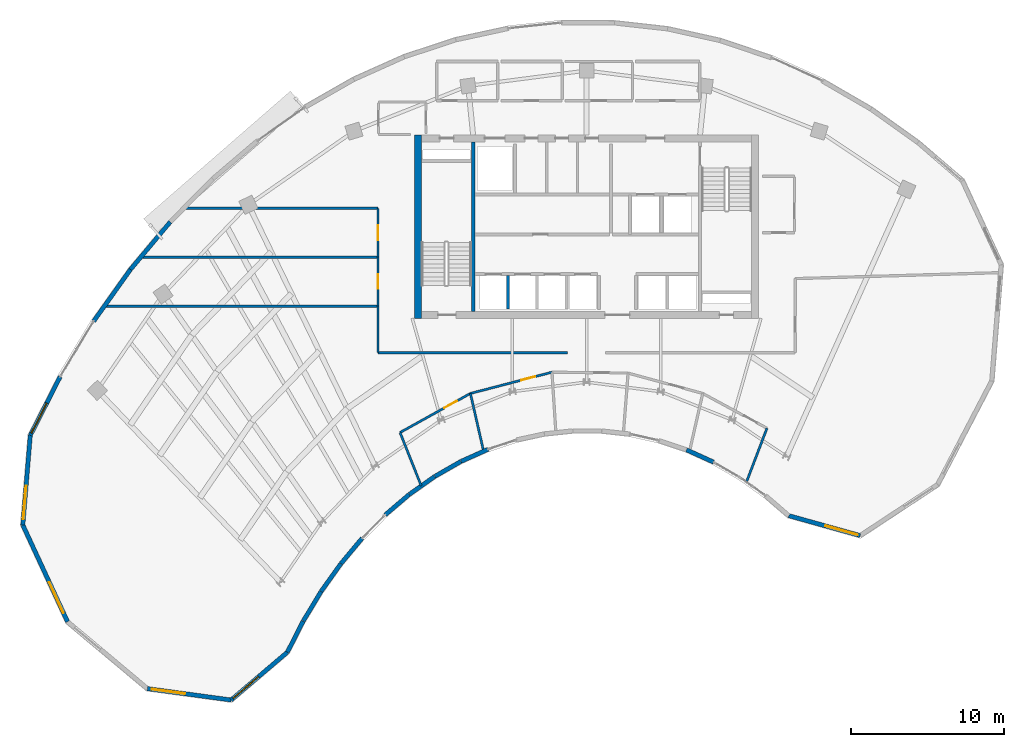
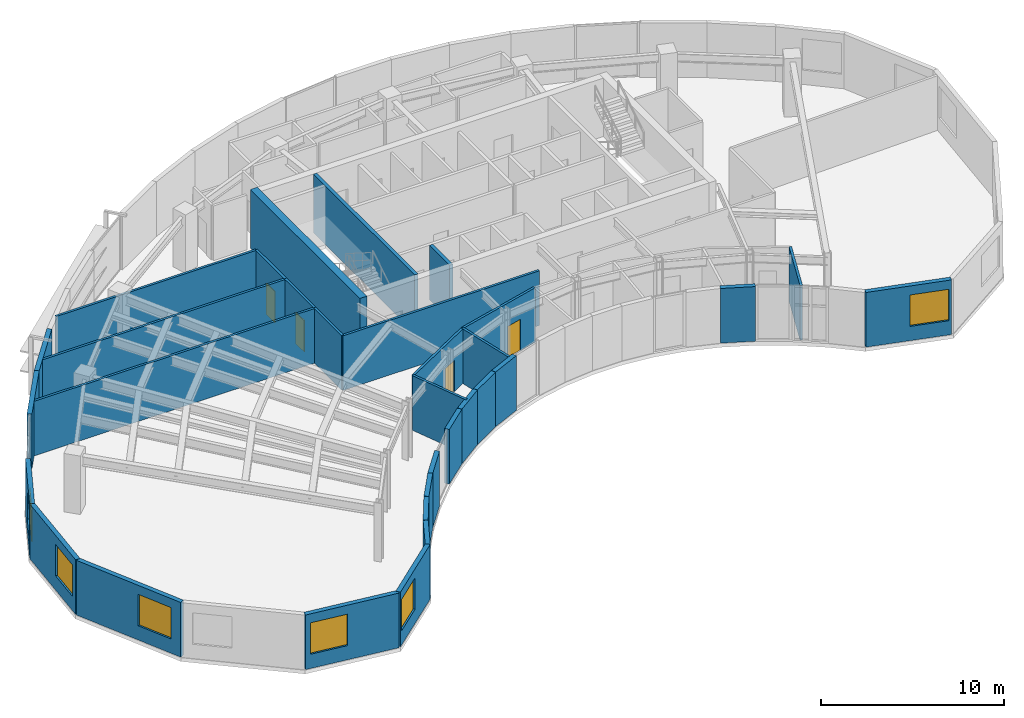
# One storey, part 7 of 12: 32 walls, 6 windows, 4 doors, 10 openings.
"""IFC4 building model written with IfcOpenShell, lengths in metres."""

from ifc_helpers import new_model, si_unit, direction, frame, frame_2d, origin, place, context, subcontext, project, spatial, rectangle, extrude, source, transform, mapped, material, layer, layer_set, type_object, type_shapes, element, fill, save


model = new_model("IFC4")

# Units and contexts
model_context = context("Model", 3, precision=1e-05, world=origin(), true_north=direction((0.0, 1.0)))
body_context = subcontext(model_context, "Body", "Model", "MODEL_VIEW")
ifc_project = project(units=[si_unit("LENGTHUNIT", "METRE"), si_unit("AREAUNIT", "SQUARE_METRE"), si_unit("VOLUMEUNIT", "CUBIC_METRE"), si_unit("PLANEANGLEUNIT", "RADIAN"), si_unit("MASSUNIT", "GRAM", prefix="KILO")], contexts=[model_context])

# Site, building, storey
site_placement = place(None, origin())
site = spatial("IfcSite", under=ifc_project, at=site_placement, CompositionType="ELEMENT")
building_placement = place(site_placement, origin())
building = spatial("IfcBuilding", under=site, at=building_placement, Name="Breltana Convention Tower", CompositionType="ELEMENT")
storey_placement = place(building_placement, frame((0.0, 0.0, 243.0)))
storey = spatial("IfcBuildingStorey", under=building, at=storey_placement, Name="L59", CompositionType="ELEMENT", Elevation=243.0)

# Walls
ifc_material_1 = material(Name="Concrete C60/75", Category="concrete")
ifc_layer_1 = layer(ifc_material_1, 0.449951171875, Name="Concrete C60/75")
ifc_layer_set_1 = layer_set([ifc_layer_1], Name="Concrete C60/75")
wall_type_1 = type_object("IfcWallType", Name="SW-CORE-450", PredefinedType="SHEAR", material=ifc_layer_set_1)
shared_shape_1 = source(origin(), body_context, "Body", "SweptSolid", [
    extrude(rectangle(XDim=12.0, YDim=0.449951171875, at=frame_2d((6.0, 0.0))), origin(), (0.0, 0.0, 1.0), 3.89990234375),
])
wall_1_placement = place(storey_placement, frame((36.97509765625, 60.199951171875, 0.0), z_axis=(0.0, 0.0, 1.0), x_axis=(0.0, 1.0, 0.0)))
element("IfcWall", 1, at=wall_1_placement, inside=storey, type_object=wall_type_1, Name="L59 West Core Shear Wall", PredefinedType="SHEAR", context=body_context, shape_type="MappedRepresentation", body=[
    mapped(shared_shape_1, transform((0.0, 0.0, 0.0), scale=1.0)),
])
ifc_material_2 = material(Name="Concrete C50/60", Category="concrete")
ifc_layer_2 = layer(ifc_material_2, 0.39990234375, Name="Concrete C50/60")
ifc_layer_set_2 = layer_set([ifc_layer_2], Name="Concrete C50/60")
wall_type_2 = type_object("IfcWallType", Name="SW-CORE-400", PredefinedType="SHEAR", material=ifc_layer_set_2)
shared_shape_2 = source(origin(), body_context, "Body", "SweptSolid", [
    extrude(rectangle(XDim=11.10009765625, YDim=0.219970703125, at=frame_2d((5.550048828125, 0.0))), origin(), (0.0, 0.0, 1.0), 3.89990234375),
])
wall_2_placement = place(storey_placement, frame((40.580078125, 60.64990234375, 0.0), z_axis=(0.0, 0.0, 1.0), x_axis=(0.0, 1.0, 0.0)))
element("IfcWall", 2, at=wall_2_placement, inside=storey, type_object=wall_type_2, Name="L59 Core West Stair Spine Wall", PredefinedType="SHEAR", context=body_context, shape_type="MappedRepresentation", body=[
    mapped(shared_shape_2, transform((0.0, 0.0, 0.0), scale=1.0)),
])

# Wall, opening, window
ifc_material_3 = material(Name="Limestone Buff Insulated Wall", Category="masonry")
ifc_layer_3 = layer(ifc_material_3, 0.280029296875, Name="Limestone Buff Insulated Wall")
ifc_layer_set_3 = layer_set([ifc_layer_3], Name="Limestone Buff Insulated Wall")
wall_type_3 = type_object("IfcWallType", Name="WL-EXT-NOSE-280", PredefinedType="SOLIDWALL", material=ifc_layer_set_3)
shared_shape_3 = source(origin(), body_context, "Body", "SweptSolid", [
    extrude(rectangle(XDim=4.84716796875, YDim=0.280029296875, at=frame_2d((2.423583984375, 0.0))), origin(), (0.0, 0.0, 1.0), 3.64990234375),
])
wall_3_placement = place(storey_placement, frame((65.890625, 45.996337890625, 0.0), z_axis=(0.0, 0.0, 1.0), x_axis=(-0.963208430762, 0.268755500238, 0.0)))
wall_3 = element("IfcWall", 3, at=wall_3_placement, inside=storey, type_object=wall_type_3, Name="L59 curved limestone nose wall E5", PredefinedType="SOLIDWALL", context=body_context, shape_type="MappedRepresentation", body=[
    mapped(shared_shape_3, transform((0.0, 0.0, 0.0), scale=1.0)),
])
opening_1_placement = place(wall_3_placement, frame((0.159912109375, 0.0, 0.949951171875)))
opening_1 = element("IfcOpeningElement", 4, at=opening_1_placement, cuts=wall_3, Name="Opening W-03", PredefinedType="OPENING", context=body_context, shape_type="SweptSolid", body=[
    extrude(rectangle(XDim=2.199951171875, YDim=2.10009765625, at=frame_2d((1.10009765625, 1.050048828125))), frame((0.0, 0.14990234375, 0.0), z_axis=(0.0, -1.0, 0.0), x_axis=(1.0, 0.0, 0.0)), (0.0, 0.0, 1.0), 0.300048828125),
])
ifc_material_4 = material(Name="Glass Low-E Insulated Window", Category="glass")
window_type = type_object("IfcWindowType", Name="WN-NOSE-2200X2100", PartitioningType="TRIPLE_PANEL_VERTICAL", PredefinedType="WINDOW", material=ifc_material_4)
shared_shape_4 = source(origin(), body_context, "Body", "SweptSolid", [
    extrude(rectangle(XDim=2.199951171875, YDim=2.10009765625, at=frame_2d((1.10009765625, 1.050048828125))), frame((0.0, 0.030029296875, 0.0), z_axis=(0.0, -1.0, 0.0), x_axis=(1.0, 0.0, 0.0)), (0.0, 0.0, 1.0), 0.06005859375),
])
type_shapes(window_type, [shared_shape_4])
window_1_placement = place(opening_1_placement, origin())
window_1 = element("IfcWindow", 5, at=window_1_placement, inside=storey, type_object=window_type, Name="L59 nose window E5", OverallHeight=2.10009765625, OverallWidth=2.199951171875, PartitioningType="TRIPLE_PANEL_VERTICAL", PredefinedType="WINDOW", context=body_context, shape_type="MappedRepresentation", body=[
    mapped(shared_shape_4, transform((0.0, 0.0, 0.0), scale=1.0)),
])
fill(opening_1, window_1)

# Walls
shared_shape_5 = source(origin(), body_context, "Body", "SweptSolid", [
    extrude(rectangle(XDim=1.932861328125, YDim=0.280029296875, at=frame_2d((0.96630859375, 0.0))), origin(), (0.0, 0.0, 1.0), 3.64990234375),
])
wall_4_placement = place(storey_placement, frame((56.2998046875, 50.802001953125, 0.0), z_axis=(0.0, 0.0, 1.0), x_axis=(-0.910478916145, 0.413555489936, 0.0)))
element("IfcWall", 6, at=wall_4_placement, inside=storey, type_object=wall_type_3, Name="L59 curved limestone nose wall E7", PredefinedType="SOLIDWALL", context=body_context, shape_type="MappedRepresentation", body=[
    mapped(shared_shape_5, transform((0.0, 0.0, 0.0), scale=1.0)),
])
shared_shape_6 = source(origin(), body_context, "Body", "SweptSolid", [
    extrude(rectangle(XDim=1.968994140625, YDim=0.280029296875, at=frame_2d((0.984375, 0.0))), origin(), (0.0, 0.0, 1.0), 3.64990234375),
])
wall_5_placement = place(storey_placement, frame((39.77880859375, 50.84228515625, 0.0), z_axis=(0.0, 0.0, 1.0), x_axis=(-0.86797594681, -0.496606238139, 0.0)))
element("IfcWall", 7, at=wall_5_placement, inside=storey, type_object=wall_type_3, Name="L59 curved limestone nose wall E14", PredefinedType="SOLIDWALL", context=body_context, shape_type="MappedRepresentation", body=[
    mapped(shared_shape_6, transform((0.0, 0.0, 0.0), scale=1.0)),
])
shared_shape_7 = source(origin(), body_context, "Body", "SweptSolid", [
    extrude(rectangle(XDim=2.011962890625, YDim=0.280029296875, at=frame_2d((1.005859375, 0.0))), origin(), (0.0, 0.0, 1.0), 3.64990234375),
])
wall_6_placement = place(storey_placement, frame((38.055419921875, 49.855224609375, 0.0), z_axis=(0.0, 0.0, 1.0), x_axis=(-0.817008215805, -0.576626027255, 0.0)))
element("IfcWall", 8, at=wall_6_placement, inside=storey, type_object=wall_type_3, Name="L59 curved limestone nose wall E15", PredefinedType="SOLIDWALL", context=body_context, shape_type="MappedRepresentation", body=[
    mapped(shared_shape_7, transform((0.0, 0.0, 0.0), scale=1.0)),
])
shared_shape_8 = source(origin(), body_context, "Body", "SweptSolid", [
    extrude(rectangle(XDim=2.0595703125, YDim=0.280029296875, at=frame_2d((1.02978515625, 0.0))), origin(), (0.0, 0.0, 1.0), 3.64990234375),
])
wall_7_placement = place(storey_placement, frame((36.398681640625, 48.68505859375, 0.0), z_axis=(0.0, 0.0, 1.0), x_axis=(-0.761494573969, -0.648171284319, 0.0)))
element("IfcWall", 9, at=wall_7_placement, inside=storey, type_object=wall_type_3, Name="L59 curved limestone nose wall E16", PredefinedType="SOLIDWALL", context=body_context, shape_type="MappedRepresentation", body=[
    mapped(shared_shape_8, transform((0.0, 0.0, 0.0), scale=1.0)),
])
shared_shape_9 = source(origin(), body_context, "Body", "SweptSolid", [
    extrude(rectangle(XDim=2.211669921875, YDim=0.280029296875, at=frame_2d((1.10595703125, 0.0))), origin(), (0.0, 0.0, 1.0), 3.64990234375),
])
wall_8_placement = place(storey_placement, frame((31.931396484375, 44.159423828125, 0.0), z_axis=(0.0, 0.0, 1.0), x_axis=(-0.579639452819, -0.814873060504, 0.0)))
element("IfcWall", 10, at=wall_8_placement, inside=storey, type_object=wall_type_3, Name="L59 curved limestone nose wall E18", PredefinedType="SOLIDWALL", context=body_context, shape_type="MappedRepresentation", body=[
    mapped(shared_shape_9, transform((0.0, 0.0, 0.0), scale=1.0)),
])
shared_shape_10 = source(origin(), body_context, "Body", "SweptSolid", [
    extrude(rectangle(XDim=2.260986328125, YDim=0.280029296875, at=frame_2d((1.13037109375, 0.0))), origin(), (0.0, 0.0, 1.0), 3.64990234375),
])
wall_9_placement = place(storey_placement, frame((30.64208984375, 42.345703125, 0.0), z_axis=(0.0, 0.0, 1.0), x_axis=(-0.516891494538, -0.856050923062, 0.0)))
element("IfcWall", 11, at=wall_9_placement, inside=storey, type_object=wall_type_3, Name="L59 curved limestone nose wall E19", PredefinedType="SOLIDWALL", context=body_context, shape_type="MappedRepresentation", body=[
    mapped(shared_shape_10, transform((0.0, 0.0, 0.0), scale=1.0)),
])
shared_shape_11 = source(origin(), body_context, "Body", "SweptSolid", [
    extrude(rectangle(XDim=2.271484375, YDim=0.280029296875, at=frame_2d((1.1357421875, 0.0))), origin(), (0.0, 0.0, 1.0), 3.64990234375),
])
wall_10_placement = place(storey_placement, frame((29.467041015625, 40.39892578125, 0.0), z_axis=(0.0, 0.0, 1.0), x_axis=(-0.453993402883, -0.891005044957, 0.0)))
element("IfcWall", 12, at=wall_10_placement, inside=storey, type_object=wall_type_3, Name="L59 curved limestone nose wall W1", PredefinedType="SOLIDWALL", context=body_context, shape_type="MappedRepresentation", body=[
    mapped(shared_shape_11, transform((0.0, 0.0, 0.0), scale=1.0)),
])

# Wall, opening, window
shared_shape_12 = source(origin(), body_context, "Body", "SweptSolid", [
    extrude(rectangle(XDim=4.830078125, YDim=0.280029296875, at=frame_2d((2.4150390625, 0.0))), origin(), (0.0, 0.0, 1.0), 3.64990234375),
])
wall_11_placement = place(storey_placement, frame((28.435791015625, 38.375, 0.0), z_axis=(0.0, 0.0, 1.0), x_axis=(-0.761890676316, -0.647705640968, 0.0)))
wall_11 = element("IfcWall", 13, at=wall_11_placement, inside=storey, type_object=wall_type_3, Name="L59 curved limestone nose wall W2", PredefinedType="SOLIDWALL", context=body_context, shape_type="MappedRepresentation", body=[
    mapped(shared_shape_12, transform((0.0, 0.0, 0.0), scale=1.0)),
])
opening_2_placement = place(wall_11_placement, frame((2.4697265625, 0.0, 0.949951171875)))
opening_2 = element("IfcOpeningElement", 14, at=opening_2_placement, cuts=wall_11, Name="Opening W-03", PredefinedType="OPENING", context=body_context, shape_type="SweptSolid", body=[
    extrude(rectangle(XDim=2.199951171875, YDim=2.10009765625, at=frame_2d((1.10009765625, 1.050048828125))), frame((0.0, 0.14990234375, 0.0), z_axis=(0.0, -1.0, 0.0), x_axis=(1.0, 0.0, 0.0)), (0.0, 0.0, 1.0), 0.300048828125),
])
window_2_placement = place(opening_2_placement, origin())
window_2 = element("IfcWindow", 15, at=window_2_placement, inside=storey, type_object=window_type, Name="L59 nose window W2", OverallHeight=2.10009765625, OverallWidth=2.199951171875, PartitioningType="TRIPLE_PANEL_VERTICAL", PredefinedType="WINDOW", context=body_context, shape_type="MappedRepresentation", body=[
    mapped(shared_shape_4, transform((0.0, 0.0, 0.0), scale=1.0)),
])
fill(opening_2, window_2)

shared_shape_13 = source(origin(), body_context, "Body", "SweptSolid", [
    extrude(rectangle(XDim=5.51953125, YDim=0.280029296875, at=frame_2d((2.759765625, 0.0))), origin(), (0.0, 0.0, 1.0), 3.64990234375),
])
wall_12_placement = place(storey_placement, frame((24.755859375, 35.24658203125, 0.0), z_axis=(0.0, 0.0, 1.0), x_axis=(-0.99093029136, 0.134376923856, 0.0)))
wall_12 = element("IfcWall", 16, at=wall_12_placement, inside=storey, type_object=wall_type_3, Name="L59 curved limestone nose wall W3", PredefinedType="SOLIDWALL", context=body_context, shape_type="MappedRepresentation", body=[
    mapped(shared_shape_13, transform((0.0, 0.0, 0.0), scale=1.0)),
])
opening_3_placement = place(wall_12_placement, frame((3.039794921875, 0.0, 0.949951171875)))
opening_3 = element("IfcOpeningElement", 17, at=opening_3_placement, cuts=wall_12, Name="Opening W-03", PredefinedType="OPENING", context=body_context, shape_type="SweptSolid", body=[
    extrude(rectangle(XDim=2.199951171875, YDim=2.10009765625, at=frame_2d((1.10009765625, 1.050048828125))), frame((0.0, 0.14990234375, 0.0), z_axis=(0.0, -1.0, 0.0), x_axis=(1.0, 0.0, 0.0)), (0.0, 0.0, 1.0), 0.300048828125),
])
window_3_placement = place(opening_3_placement, origin())
window_3 = element("IfcWindow", 18, at=window_3_placement, inside=storey, type_object=window_type, Name="L59 nose window W3", OverallHeight=2.10009765625, OverallWidth=2.199951171875, PartitioningType="TRIPLE_PANEL_VERTICAL", PredefinedType="WINDOW", context=body_context, shape_type="MappedRepresentation", body=[
    mapped(shared_shape_4, transform((0.0, 0.0, 0.0), scale=1.0)),
])
fill(opening_3, window_3)

shared_shape_14 = source(origin(), body_context, "Body", "SweptSolid", [
    extrude(rectangle(XDim=6.976806640625, YDim=0.280029296875, at=frame_2d((3.48828125, 0.0))), origin(), (0.0, 0.0, 1.0), 3.64990234375),
])
wall_13_placement = place(storey_placement, frame((14.0634765625, 40.361572265625, 0.0), z_axis=(0.0, 0.0, 1.0), x_axis=(-0.41966832263, 0.907677530283, 0.0)))
wall_13 = element("IfcWall", 19, at=wall_13_placement, inside=storey, type_object=wall_type_3, Name="L59 curved limestone nose wall W5", PredefinedType="SOLIDWALL", context=body_context, shape_type="MappedRepresentation", body=[
    mapped(shared_shape_14, transform((0.0, 0.0, 0.0), scale=1.0)),
])
opening_4_placement = place(wall_13_placement, frame((0.644287109375, 0.0, 0.949951171875)))
opening_4 = element("IfcOpeningElement", 20, at=opening_4_placement, cuts=wall_13, Name="Opening W-03", PredefinedType="OPENING", context=body_context, shape_type="SweptSolid", body=[
    extrude(rectangle(XDim=2.199951171875, YDim=2.10009765625, at=frame_2d((1.10009765625, 1.050048828125))), frame((0.0, 0.14990234375, 0.0), z_axis=(0.0, -1.0, 0.0), x_axis=(1.0, 0.0, 0.0)), (0.0, 0.0, 1.0), 0.300048828125),
])
window_4_placement = place(opening_4_placement, origin())
window_4 = element("IfcWindow", 21, at=window_4_placement, inside=storey, type_object=window_type, Name="L59 nose window W5", OverallHeight=2.10009765625, OverallWidth=2.199951171875, PartitioningType="TRIPLE_PANEL_VERTICAL", PredefinedType="WINDOW", context=body_context, shape_type="MappedRepresentation", body=[
    mapped(shared_shape_4, transform((0.0, 0.0, 0.0), scale=1.0)),
])
fill(opening_4, window_4)

shared_shape_15 = source(origin(), body_context, "Body", "SweptSolid", [
    extrude(rectangle(XDim=5.880859375, YDim=0.280029296875, at=frame_2d((2.9404296875, 0.0))), origin(), (0.0, 0.0, 1.0), 3.64990234375),
])
wall_14_placement = place(storey_placement, frame((11.135498046875, 46.6943359375, 0.0), z_axis=(0.0, 0.0, 1.0), x_axis=(0.083320333731, 0.996522815588, 0.0)))
wall_14 = element("IfcWall", 22, at=wall_14_placement, inside=storey, type_object=wall_type_3, Name="L59 curved limestone nose wall W6", PredefinedType="SOLIDWALL", context=body_context, shape_type="MappedRepresentation", body=[
    mapped(shared_shape_15, transform((0.0, 0.0, 0.0), scale=1.0)),
])
opening_5_placement = place(wall_14_placement, frame((0.3701171875, 0.0, 0.949951171875)))
opening_5 = element("IfcOpeningElement", 23, at=opening_5_placement, cuts=wall_14, Name="Opening W-03", PredefinedType="OPENING", context=body_context, shape_type="SweptSolid", body=[
    extrude(rectangle(XDim=2.199951171875, YDim=2.10009765625, at=frame_2d((1.10009765625, 1.050048828125))), frame((0.0, 0.14990234375, 0.0), z_axis=(0.0, -1.0, 0.0), x_axis=(1.0, 0.0, 0.0)), (0.0, 0.0, 1.0), 0.300048828125),
])
window_5_placement = place(opening_5_placement, origin())
window_5 = element("IfcWindow", 24, at=window_5_placement, inside=storey, type_object=window_type, Name="L59 nose window W6", OverallHeight=2.10009765625, OverallWidth=2.199951171875, PartitioningType="TRIPLE_PANEL_VERTICAL", PredefinedType="WINDOW", context=body_context, shape_type="MappedRepresentation", body=[
    mapped(shared_shape_4, transform((0.0, 0.0, 0.0), scale=1.0)),
])
fill(opening_5, window_5)

shared_shape_16 = source(origin(), body_context, "Body", "SweptSolid", [
    extrude(rectangle(XDim=4.30126953125, YDim=0.280029296875, at=frame_2d((2.150634765625, 0.0))), origin(), (0.0, 0.0, 1.0), 3.64990234375),
])
wall_15_placement = place(storey_placement, frame((11.62548828125, 52.5546875, 0.0), z_axis=(0.0, 0.0, 1.0), x_axis=(0.454011655096, 0.89099574468, 0.0)))
wall_15 = element("IfcWall", 25, at=wall_15_placement, inside=storey, type_object=wall_type_3, Name="L59 curved limestone nose wall W7", PredefinedType="SOLIDWALL", context=body_context, shape_type="MappedRepresentation", body=[
    mapped(shared_shape_16, transform((0.0, 0.0, 0.0), scale=1.0)),
])
opening_6_placement = place(wall_15_placement, frame((0.159912109375, 0.0, 0.949951171875)))
opening_6 = element("IfcOpeningElement", 26, at=opening_6_placement, cuts=wall_15, Name="Opening W-03", PredefinedType="OPENING", context=body_context, shape_type="SweptSolid", body=[
    extrude(rectangle(XDim=2.199951171875, YDim=2.10009765625, at=frame_2d((1.10009765625, 1.050048828125))), frame((0.0, 0.14990234375, 0.0), z_axis=(0.0, -1.0, 0.0), x_axis=(1.0, 0.0, 0.0)), (0.0, 0.0, 1.0), 0.300048828125),
])
window_6_placement = place(opening_6_placement, origin())
window_6 = element("IfcWindow", 27, at=window_6_placement, inside=storey, type_object=window_type, Name="L59 nose window W7", OverallHeight=2.10009765625, OverallWidth=2.199951171875, PartitioningType="TRIPLE_PANEL_VERTICAL", PredefinedType="WINDOW", context=body_context, shape_type="MappedRepresentation", body=[
    mapped(shared_shape_4, transform((0.0, 0.0, 0.0), scale=1.0)),
])
fill(opening_6, window_6)

# Walls
shared_shape_17 = source(origin(), body_context, "Body", "SweptSolid", [
    extrude(rectangle(XDim=4.14892578125, YDim=0.280029296875, at=frame_2d((2.074462890625, 0.0))), origin(), (0.0, 0.0, 1.0), 3.64990234375),
])
wall_16_placement = place(storey_placement, frame((15.77099609375, 60.018798828125, 0.0), z_axis=(0.0, 0.0, 1.0), x_axis=(0.579622789827, 0.814884913048, 0.0)))
element("IfcWall", 28, at=wall_16_placement, inside=storey, type_object=wall_type_3, Name="L59 curved limestone nose wall E20", PredefinedType="SOLIDWALL", context=body_context, shape_type="MappedRepresentation", body=[
    mapped(shared_shape_17, transform((0.0, 0.0, 0.0), scale=1.0)),
])
shared_shape_18 = source(origin(), body_context, "Body", "SweptSolid", [
    extrude(rectangle(XDim=1.930908203125, YDim=0.280029296875, at=frame_2d((0.96533203125, 0.0))), origin(), (0.0, 0.0, 1.0), 3.64990234375),
])
wall_17_placement = place(storey_placement, frame((41.556884765625, 51.639404296875, 0.0), z_axis=(0.0, 0.0, 1.0), x_axis=(-0.912681759743, -0.408671023481, 0.0)))
element("IfcWall", 29, at=wall_17_placement, inside=storey, type_object=wall_type_3, Name="L59 curved limestone nose wall E13", PredefinedType="SOLIDWALL", context=body_context, shape_type="MappedRepresentation", body=[
    mapped(shared_shape_18, transform((0.0, 0.0, 0.0), scale=1.0)),
])
shared_shape_19 = source(origin(), body_context, "Body", "SweptSolid", [
    extrude(rectangle(XDim=2.16064453125, YDim=0.280029296875, at=frame_2d((1.080322265625, 0.0))), origin(), (0.0, 0.0, 1.0), 3.64990234375),
])
wall_18_placement = place(storey_placement, frame((33.32666015625, 45.82763671875, 0.0), z_axis=(0.0, 0.0, 1.0), x_axis=(-0.641794516235, -0.766876651705, 0.0)))
element("IfcWall", 30, at=wall_18_placement, inside=storey, type_object=wall_type_3, Name="L59 curved limestone nose wall E17", PredefinedType="SOLIDWALL", context=body_context, shape_type="MappedRepresentation", body=[
    mapped(shared_shape_19, transform((0.0, 0.0, 0.0), scale=1.0)),
])
shared_shape_20 = source(origin(), body_context, "Body", "SweptSolid", [
    extrude(rectangle(XDim=4.05224609375, YDim=0.280029296875, at=frame_2d((2.026123046875, 0.0))), origin(), (0.0, 0.0, 1.0), 3.64990234375),
])
wall_19_placement = place(storey_placement, frame((18.17578125, 63.399658203125, 0.0), z_axis=(0.0, 0.0, 1.0), x_axis=(0.641765301437, 0.76690110045, 0.0)))
element("IfcWall", 31, at=wall_19_placement, inside=storey, type_object=wall_type_3, Name="L59 curved limestone nose wall E21", PredefinedType="SOLIDWALL", context=body_context, shape_type="MappedRepresentation", body=[
    mapped(shared_shape_20, transform((0.0, 0.0, 0.0), scale=1.0)),
])
ifc_material_5 = material(Name="Autoclaved Aerated Concrete Block", Category="concrete")
ifc_layer_4 = layer(ifc_material_5, 0.199951171875, Name="Autoclaved Aerated Concrete Block")
ifc_layer_set_4 = layer_set([ifc_layer_4], Name="Autoclaved Aerated Concrete Block")
wall_type_4 = type_object("IfcWallType", Name="WL-SHAFT-200", PredefinedType="SOLIDWALL", material=ifc_layer_set_4)
shared_shape_21 = source(origin(), body_context, "Body", "SweptSolid", [
    extrude(rectangle(XDim=2.199951171875, YDim=0.199951171875, at=frame_2d((1.10009765625, 0.0))), origin(), (0.0, 0.0, 1.0), 3.64990234375),
])
wall_20_placement = place(storey_placement, frame((42.8701171875, 60.800048828125, 0.0), z_axis=(0.0, 0.0, 1.0), x_axis=(0.0, 1.0, 0.0)))
element("IfcWall", 32, at=wall_20_placement, inside=storey, type_object=wall_type_4, Name="L59 interior partition W-L59-SH-S-DIV1", PredefinedType="SOLIDWALL", context=body_context, shape_type="MappedRepresentation", body=[
    mapped(shared_shape_21, transform((0.0, 0.0, 0.0), scale=1.0)),
])

# Wall, opening, door
ifc_material_6 = material(Name="Gypsum Acoustic Drywall Partition")
ifc_layer_5 = layer(ifc_material_6, 0.14990234375, Name="Gypsum Acoustic Drywall Partition")
ifc_layer_set_5 = layer_set([ifc_layer_5], Name="Gypsum Acoustic Drywall Partition")
wall_type_5 = type_object("IfcWallType", Name="WL-PART-150", PredefinedType="PARTITIONING", material=ifc_layer_set_5)
shared_shape_22 = source(origin(), body_context, "Body", "SweptSolid", [
    extrude(rectangle(XDim=5.262451171875, YDim=0.14990234375, at=frame_2d((2.63134765625, 0.0))), origin(), (0.0, 0.0, 1.0), 3.64990234375),
])
wall_21_placement = place(storey_placement, frame((35.802978515625, 52.73828125, 0.0), z_axis=(0.0, 0.0, 1.0), x_axis=(0.874365088288, 0.485268680612, 0.0)))
wall_21 = element("IfcWall", 33, at=wall_21_placement, inside=storey, type_object=wall_type_5, Name="L59 interior partition W-L59-ES1-COR", PredefinedType="PARTITIONING", context=body_context, shape_type="MappedRepresentation", body=[
    mapped(shared_shape_22, transform((0.0, 0.0, 0.0), scale=1.0)),
])
opening_7_placement = place(wall_21_placement, frame((3.30615234375, 0.0, 0.0)))
opening_7 = element("IfcOpeningElement", 34, at=opening_7_placement, cuts=wall_21, Name="Opening D-17", PredefinedType="OPENING", context=body_context, shape_type="SweptSolid", body=[
    extrude(rectangle(XDim=0.949951171875, YDim=2.10009765625, at=frame_2d((0.47509765625, 1.050048828125))), frame((0.0, 0.0849609375, 0.0), z_axis=(0.0, -1.0, 0.0), x_axis=(1.0, 0.0, 0.0)), (0.0, 0.0, 1.0), 0.169921875),
])
ifc_material_7 = material(Name="Timber Oak Veneer Door", Category="wood")
door_type = type_object("IfcDoorType", Name="DR-INT-950", OperationType="NOTDEFINED", PredefinedType="DOOR", material=ifc_material_7)
shared_shape_23 = source(origin(), body_context, "Body", "SweptSolid", [
    extrude(rectangle(XDim=0.949951171875, YDim=2.10009765625, at=frame_2d((0.47509765625, 1.050048828125))), frame((0.0, 0.02490234375, 0.0), z_axis=(0.0, -1.0, 0.0), x_axis=(1.0, 0.0, 0.0)), (0.0, 0.0, 1.0), 0.050048828125),
])
type_shapes(door_type, [shared_shape_23])
door_1_placement = place(opening_7_placement, origin())
door_1 = element("IfcDoor", 35, at=door_1_placement, inside=storey, type_object=door_type, Name="L59 interior door D-L59-ES1", OperationType="SINGLE_SWING_LEFT", OverallHeight=2.10009765625, OverallWidth=0.949951171875, PredefinedType="DOOR", context=body_context, shape_type="MappedRepresentation", body=[
    mapped(shared_shape_23, transform((0.0, 0.0, 0.0), scale=1.0)),
])
fill(opening_7, door_1)

# Walls
shared_shape_24 = source(origin(), body_context, "Body", "SweptSolid", [
    extrude(rectangle(XDim=3.7490234375, YDim=0.14990234375, at=frame_2d((1.87451171875, 0.0))), origin(), (0.0, 0.0, 1.0), 3.64990234375),
])
wall_22_placement = place(storey_placement, frame((37.185791015625, 49.253662109375, 0.0), z_axis=(0.0, 0.0, 1.0), x_axis=(-0.368851771682, 0.92948823044, 0.0)))
element("IfcWall", 36, at=wall_22_placement, inside=storey, type_object=wall_type_5, Name="L59 interior partition W-L59-ES1-RA", PredefinedType="PARTITIONING", context=body_context, shape_type="MappedRepresentation", body=[
    mapped(shared_shape_24, transform((0.0, 0.0, 0.0), scale=1.0)),
])
shared_shape_25 = source(origin(), body_context, "Body", "SweptSolid", [
    extrude(rectangle(XDim=3.869384765625, YDim=0.14990234375, at=frame_2d((1.9345703125, 0.0))), origin(), (0.0, 0.0, 1.0), 3.64990234375),
])
wall_23_placement = place(storey_placement, frame((41.264892578125, 51.51953125, 0.0), z_axis=(0.0, 0.0, 1.0), x_axis=(-0.22241189466, 0.974952793274, 0.0)))
element("IfcWall", 37, at=wall_23_placement, inside=storey, type_object=wall_type_5, Name="L59 interior partition W-L59-ES1-RB", PredefinedType="PARTITIONING", context=body_context, shape_type="MappedRepresentation", body=[
    mapped(shared_shape_25, transform((0.0, 0.0, 0.0), scale=1.0)),
])

# Wall, opening, door
shared_shape_26 = source(origin(), body_context, "Body", "SweptSolid", [
    extrude(rectangle(XDim=5.50927734375, YDim=0.14990234375, at=frame_2d((2.754638671875, 0.0))), origin(), (0.0, 0.0, 1.0), 3.64990234375),
])
wall_24_placement = place(storey_placement, frame((40.404296875, 55.2919921875, 0.0), z_axis=(0.0, 0.0, 1.0), x_axis=(0.96771038598, 0.252064691828, 0.0)))
wall_24 = element("IfcWall", 38, at=wall_24_placement, inside=storey, type_object=wall_type_5, Name="L59 interior partition W-L59-ES2-COR", PredefinedType="PARTITIONING", context=body_context, shape_type="MappedRepresentation", body=[
    mapped(shared_shape_26, transform((0.0, 0.0, 0.0), scale=1.0)),
])
opening_8_placement = place(wall_24_placement, frame((3.4296875, 0.0, 0.0)))
opening_8 = element("IfcOpeningElement", 39, at=opening_8_placement, cuts=wall_24, Name="Opening D-17", PredefinedType="OPENING", context=body_context, shape_type="SweptSolid", body=[
    extrude(rectangle(XDim=0.949951171875, YDim=2.10009765625, at=frame_2d((0.47509765625, 1.050048828125))), frame((0.0, 0.0849609375, 0.0), z_axis=(0.0, -1.0, 0.0), x_axis=(1.0, 0.0, 0.0)), (0.0, 0.0, 1.0), 0.169921875),
])
door_2_placement = place(opening_8_placement, origin())
door_2 = element("IfcDoor", 40, at=door_2_placement, inside=storey, type_object=door_type, Name="L59 interior door D-L59-ES2", OperationType="SINGLE_SWING_RIGHT", OverallHeight=2.10009765625, OverallWidth=0.949951171875, PredefinedType="DOOR", context=body_context, shape_type="MappedRepresentation", body=[
    mapped(shared_shape_23, transform((0.0, 0.0, 0.0), scale=1.0)),
])
fill(opening_8, door_2)

# Walls
shared_shape_27 = source(origin(), body_context, "Body", "SweptSolid", [
    extrude(rectangle(XDim=3.75732421875, YDim=0.14990234375, at=frame_2d((1.878662109375, 0.0))), origin(), (0.0, 0.0, 1.0), 3.64990234375),
])
wall_25_placement = place(storey_placement, frame((58.459228515625, 49.5068359375, 0.0), z_axis=(0.0, 0.0, 1.0), x_axis=(0.355427833237, 0.93470372598, 0.0)))
element("IfcWall", 41, at=wall_25_placement, inside=storey, type_object=wall_type_5, Name="L59 interior partition W-L59-ES5-RB", PredefinedType="PARTITIONING", context=body_context, shape_type="MappedRepresentation", body=[
    mapped(shared_shape_27, transform((0.0, 0.0, 0.0), scale=1.0)),
])
shared_shape_28 = source(origin(), body_context, "Body", "SweptSolid", [
    extrude(rectangle(XDim=12.389892578125, YDim=0.14990234375, at=frame_2d((6.19482421875, 0.0))), origin(), (0.0, 0.0, 1.0), 3.64990234375),
])
wall_26_placement = place(storey_placement, frame((34.360107421875, 57.9599609375, 0.0), z_axis=(0.0, 0.0, 1.0), x_axis=(1.0, 0.0, 0.0)))
element("IfcWall", 42, at=wall_26_placement, inside=storey, type_object=wall_type_5, Name="L59 interior partition W-L59-Z45-CSW", PredefinedType="PARTITIONING", context=body_context, shape_type="MappedRepresentation", body=[
    mapped(shared_shape_28, transform((0.0, 0.0, 0.0), scale=1.0)),
])
shared_shape_29 = source(origin(), body_context, "Body", "SweptSolid", [
    extrude(rectangle(XDim=17.87890625, YDim=0.14990234375, at=frame_2d((8.939453125, 0.0))), origin(), (0.0, 0.0, 1.0), 3.64990234375),
])
wall_27_placement = place(storey_placement, frame((16.481201171875, 61.0, 0.0), z_axis=(0.0, 0.0, 1.0), x_axis=(1.0, 0.0, 0.0)))
element("IfcWall", 43, at=wall_27_placement, inside=storey, type_object=wall_type_5, Name="L59 interior partition W-L59-EXW1-N", PredefinedType="PARTITIONING", context=body_context, shape_type="MappedRepresentation", body=[
    mapped(shared_shape_29, transform((0.0, 0.0, 0.0), scale=1.0)),
])
shared_shape_30 = source(origin(), body_context, "Body", "SweptSolid", [
    extrude(rectangle(XDim=3.0400390625, YDim=0.14990234375, at=frame_2d((1.52001953125, 0.0))), origin(), (0.0, 0.0, 1.0), 3.64990234375),
])
wall_28_placement = place(storey_placement, frame((34.360107421875, 57.9599609375, 0.0), z_axis=(0.0, 0.0, 1.0), x_axis=(0.0, 1.0, 0.0)))
element("IfcWall", 44, at=wall_28_placement, inside=storey, type_object=wall_type_5, Name="L59 interior partition W-L59-EXW1-ENT", PredefinedType="PARTITIONING", context=body_context, shape_type="MappedRepresentation", body=[
    mapped(shared_shape_30, transform((0.0, 0.0, 0.0), scale=1.0)),
])
shared_shape_31 = source(origin(), body_context, "Body", "SweptSolid", [
    extrude(rectangle(XDim=15.50146484375, YDim=0.14990234375, at=frame_2d((7.750732421875, 0.0))), origin(), (0.0, 0.0, 1.0), 3.64990234375),
])
wall_29_placement = place(storey_placement, frame((18.858642578125, 64.199951171875, 0.0), z_axis=(0.0, 0.0, 1.0), x_axis=(1.0, 0.0, 0.0)))
element("IfcWall", 45, at=wall_29_placement, inside=storey, type_object=wall_type_5, Name="L59 interior partition W-L59-EXW2-N", PredefinedType="PARTITIONING", context=body_context, shape_type="MappedRepresentation", body=[
    mapped(shared_shape_31, transform((0.0, 0.0, 0.0), scale=1.0)),
])

# Wall, opening, door
shared_shape_32 = source(origin(), body_context, "Body", "SweptSolid", [
    extrude(rectangle(XDim=3.199951171875, YDim=0.14990234375, at=frame_2d((1.60009765625, 0.0))), origin(), (0.0, 0.0, 1.0), 3.64990234375),
])
wall_30_placement = place(storey_placement, frame((34.360107421875, 61.0, 0.0), z_axis=(0.0, 0.0, 1.0), x_axis=(0.0, 1.0, 0.0)))
wall_30 = element("IfcWall", 46, at=wall_30_placement, inside=storey, type_object=wall_type_5, Name="L59 interior partition W-L59-EXW2-ENT", PredefinedType="PARTITIONING", context=body_context, shape_type="MappedRepresentation", body=[
    mapped(shared_shape_32, transform((0.0, 0.0, 0.0), scale=1.0)),
])
opening_9_placement = place(wall_30_placement, frame((1.125, 0.0, 0.0)))
opening_9 = element("IfcOpeningElement", 47, at=opening_9_placement, cuts=wall_30, Name="Opening D-17", PredefinedType="OPENING", context=body_context, shape_type="SweptSolid", body=[
    extrude(rectangle(XDim=0.949951171875, YDim=2.10009765625, at=frame_2d((0.47509765625, 1.050048828125))), frame((0.0, 0.0849609375, 0.0), z_axis=(0.0, -1.0, 0.0), x_axis=(1.0, 0.0, 0.0)), (0.0, 0.0, 1.0), 0.169921875),
])
door_3_placement = place(opening_9_placement, origin())
door_3 = element("IfcDoor", 48, at=door_3_placement, inside=storey, type_object=door_type, Name="L59 interior door D-L59-EXW2", OperationType="SINGLE_SWING_LEFT", OverallHeight=2.10009765625, OverallWidth=0.949951171875, PredefinedType="DOOR", context=body_context, shape_type="MappedRepresentation", body=[
    mapped(shared_shape_23, transform((0.0, 0.0, 0.0), scale=1.0)),
])
fill(opening_9, door_3)

wall_31_placement = place(storey_placement, frame((34.360107421875, 64.199951171875, 0.0), z_axis=(0.0, 0.0, 1.0), x_axis=(0.0, 1.0, 0.0)))
wall_31 = element("IfcWall", 49, at=wall_31_placement, inside=storey, type_object=wall_type_5, Name="L59 interior partition W-L59-EXW3-ENT", PredefinedType="PARTITIONING", context=body_context, shape_type="MappedRepresentation", body=[
    mapped(shared_shape_32, transform((0.0, 0.0, 0.0), scale=1.0)),
])
opening_10_placement = place(wall_31_placement, frame((1.125, 0.0, 0.0)))
opening_10 = element("IfcOpeningElement", 50, at=opening_10_placement, cuts=wall_31, Name="Opening D-17", PredefinedType="OPENING", context=body_context, shape_type="SweptSolid", body=[
    extrude(rectangle(XDim=0.949951171875, YDim=2.10009765625, at=frame_2d((0.47509765625, 1.050048828125))), frame((0.0, 0.0849609375, 0.0), z_axis=(0.0, -1.0, 0.0), x_axis=(1.0, 0.0, 0.0)), (0.0, 0.0, 1.0), 0.169921875),
])
door_4_placement = place(opening_10_placement, origin())
door_4 = element("IfcDoor", 51, at=door_4_placement, inside=storey, type_object=door_type, Name="L59 interior door D-L59-EXW3", OperationType="SINGLE_SWING_RIGHT", OverallHeight=2.10009765625, OverallWidth=0.949951171875, PredefinedType="DOOR", context=body_context, shape_type="MappedRepresentation", body=[
    mapped(shared_shape_23, transform((0.0, 0.0, 0.0), scale=1.0)),
])
fill(opening_10, door_4)

# Wall
shared_shape_33 = source(origin(), body_context, "Body", "SweptSolid", [
    extrude(rectangle(XDim=12.68798828125, YDim=0.14990234375, at=frame_2d((6.343994140625, 0.0))), origin(), (0.0, 0.0, 1.0), 3.64990234375),
])
wall_32_placement = place(storey_placement, frame((21.672119140625, 67.39990234375, 0.0), z_axis=(0.0, 0.0, 1.0), x_axis=(1.0, 0.0, 0.0)))
element("IfcWall", 52, at=wall_32_placement, inside=storey, type_object=wall_type_5, Name="L59 interior partition W-L59-EXW3-N", PredefinedType="PARTITIONING", context=body_context, shape_type="MappedRepresentation", body=[
    mapped(shared_shape_33, transform((0.0, 0.0, 0.0), scale=1.0)),
])

save(model, "model.ifc")
